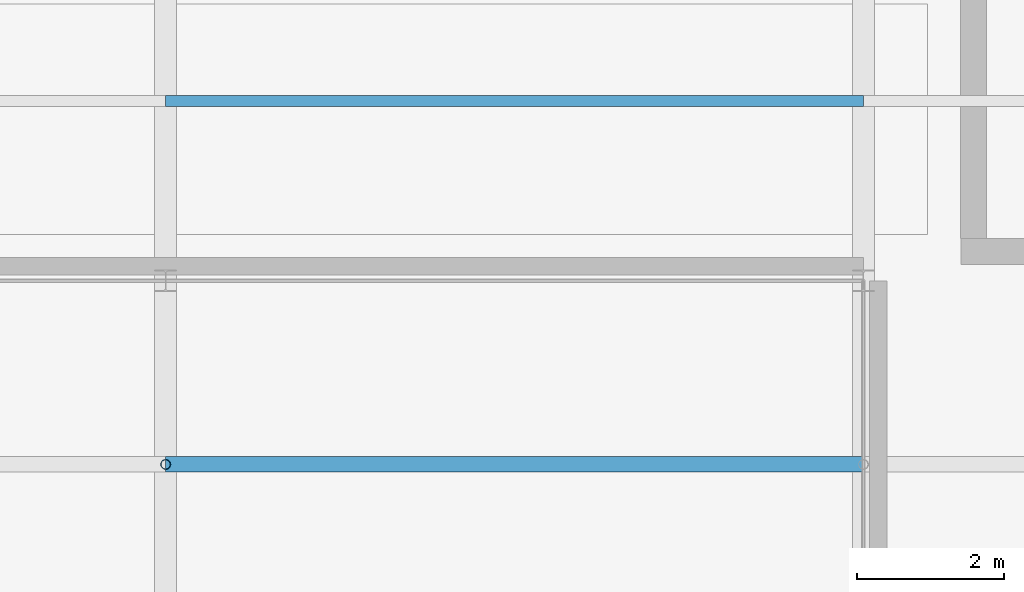
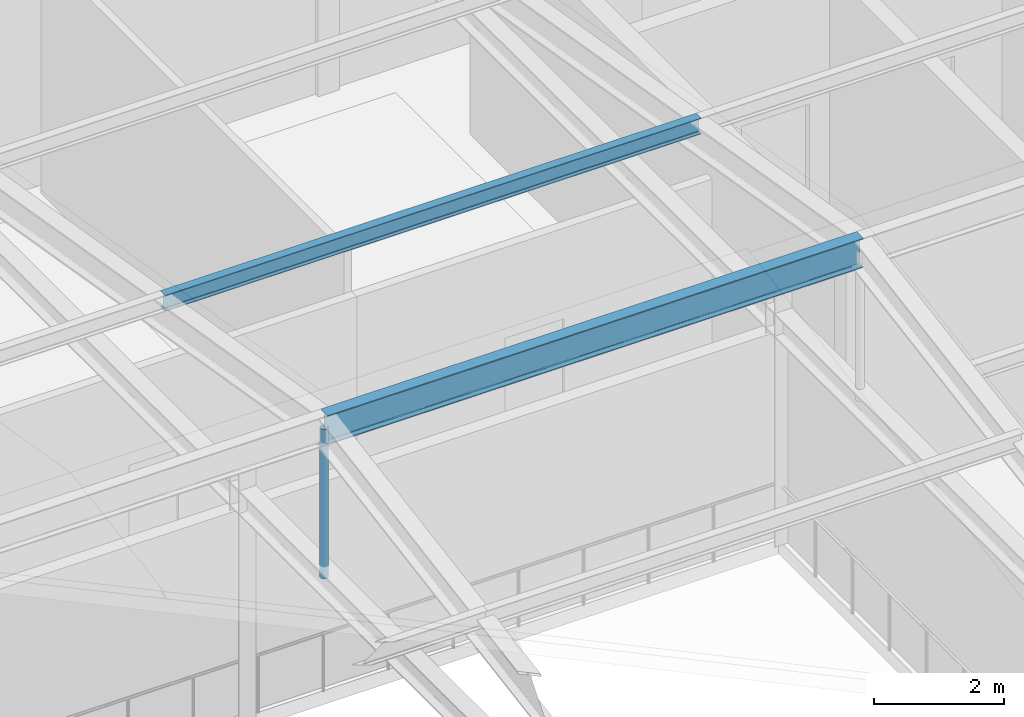
# One storey, part 21 of 108: 2 members, 1 beam.
"""IFC4 building model written with IfcOpenShell, lengths in metres."""

from ifc_helpers import new_model, si_unit, direction, frame, origin, origin_2d, place, context, subcontext, project, spatial, hollow_circle, i_section, extrude, material, material_profile, profile_set, type_object, element, save


model = new_model("IFC4")

# Units and contexts
model_context = context("Model", 3, precision=1e-05, world=origin(), true_north=direction((0.0, 1.0)))
body_context = subcontext(model_context, "Body", "Model", "MODEL_VIEW")
ifc_project = project(units=[si_unit("LENGTHUNIT", "METRE"), si_unit("AREAUNIT", "SQUARE_METRE"), si_unit("VOLUMEUNIT", "CUBIC_METRE"), si_unit("PLANEANGLEUNIT", "RADIAN"), si_unit("MASSUNIT", "GRAM", prefix="KILO")], contexts=[model_context])

# Site, building, storey
site_placement = place(None, origin())
site = spatial("IfcSite", under=ifc_project, at=site_placement, CompositionType="ELEMENT")
building_placement = place(site_placement, origin())
building = spatial("IfcBuilding", under=site, at=building_placement, Name="Tarnveldt Headland Concert Hall", CompositionType="ELEMENT")
storey_placement = place(building_placement, frame((0.0, 0.0, 9.60009765625)))
storey = spatial("IfcBuildingStorey", under=building, at=storey_placement, Name="L02", CompositionType="ELEMENT", Elevation=9.60009765625)

# Member
ifc_material = material(Name="Steel S355", Category="steel")
ifc_material_profile_1 = material_profile(ifc_material, i_section(OverallWidth=0.14990234375, OverallDepth=0.300048828125, WebThickness=0.007080078125, FlangeThickness=0.0107421875, FilletRadius=0.014892578125, at=origin_2d()), Name="IPE300", Category="steel")
ifc_profile_set_1 = profile_set([ifc_material_profile_1], Name="Steel S355")
member_type_1 = type_object("IfcMemberType", Name="PR-IPE300", PredefinedType="PURLIN", material=ifc_profile_set_1)
member_1_placement = place(storey_placement, frame((24.0, 26.449951171875, 6.31982421875), z_axis=(1.0, 0.0, 0.0), x_axis=(0.0, 1.0, 0.0)))
element("IfcMember", 1, at=member_1_placement, inside=storey, type_object=member_type_1, Name="Chamber roof purlin 3N-70", PredefinedType="PURLIN", context=body_context, shape_type="SweptSolid", body=[
    extrude(i_section(OverallWidth=0.14990234375, OverallDepth=0.300048828125, WebThickness=0.007080078125, FlangeThickness=0.0107421875, FilletRadius=0.014892578125, at=origin_2d()), origin(), (0.0, 0.0, 1.0), 9.5),
])

# Beam
ifc_material_profile_2 = material_profile(ifc_material, i_section(OverallWidth=0.2099609375, OverallDepth=0.550048828125, WebThickness=0.010986328125, FlangeThickness=0.01708984375, FilletRadius=0.02392578125, at=origin_2d()), Name="IPE550", Category="steel")
ifc_profile_set_2 = profile_set([ifc_material_profile_2], Name="Steel S355")
beam_type = type_object("IfcBeamType", Name="SB-IPE550", PredefinedType="BEAM", material=ifc_profile_set_2)
beam_placement = place(storey_placement, frame((24.0, 21.5, 6.9599609375), z_axis=(1.0, 0.0, 0.0), x_axis=(0.0, 1.0, 0.0)))
element("IfcBeam", 2, at=beam_placement, inside=storey, type_object=beam_type, Name="Chamber roof ridge beam 3", PredefinedType="BEAM", context=body_context, shape_type="SweptSolid", body=[
    extrude(i_section(OverallWidth=0.2099609375, OverallDepth=0.550048828125, WebThickness=0.010986328125, FlangeThickness=0.01708984375, FilletRadius=0.02392578125, at=origin_2d()), origin(), (0.0, 0.0, 1.0), 9.5),
])

# Member
ifc_material_profile_3 = material_profile(ifc_material, hollow_circle(Radius=0.06982421875, WallThickness=0.010009765625, at=origin_2d()), Name="CHS 139.7x10", Category="steel")
ifc_profile_set_3 = profile_set([ifc_material_profile_3], Name="Steel S355")
member_type_2 = type_object("IfcMemberType", Name="TR-WEB140", PredefinedType="BRACE", material=ifc_profile_set_3)
member_2_placement = place(storey_placement, frame((24.0, 21.5, 4.159912109375), z_axis=(0.0, 0.0, 1.0), x_axis=(1.0, 0.0, 0.0)))
element("IfcMember", 3, at=member_2_placement, inside=storey, type_object=member_type_2, Name="KP-01 Roof truss kingpost strut 24", PredefinedType="BRACE", context=body_context, shape_type="SweptSolid", body=[
    extrude(hollow_circle(Radius=0.06982421875, WallThickness=0.010009765625, at=origin_2d()), origin(), (0.0, 0.0, 1.0), 2.800048828125),
])

save(model, "model.ifc")
